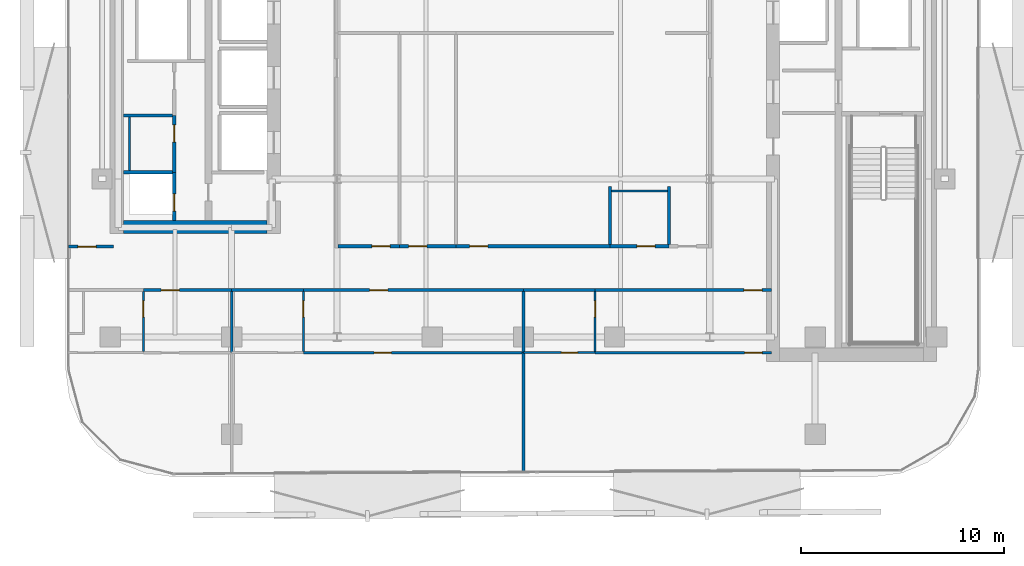
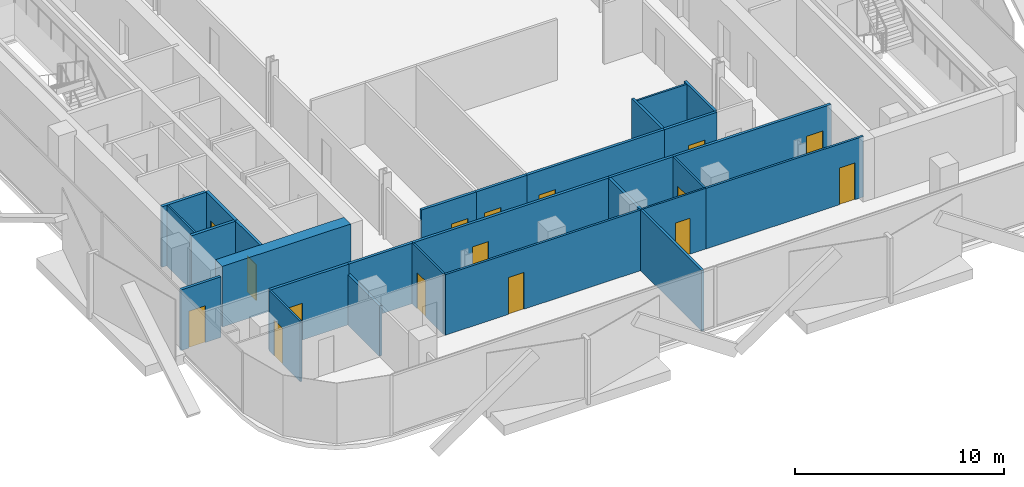
# One storey, part 3 of 17: 28 walls, 16 doors, 16 openings.
"""IFC4 building model written with IfcOpenShell, lengths in metres."""

from ifc_helpers import new_model, si_unit, direction, frame, frame_2d, origin, place, context, subcontext, project, spatial, rectangle, extrude, material, layer, layer_set, type_object, element, fill, save


model = new_model("IFC4")

# Units and contexts
model_context = context("Model", 3, precision=1e-05, world=origin(), true_north=direction((0.0, 1.0)))
body_context = subcontext(model_context, "Body", "Model", "MODEL_VIEW")
ifc_project = project(units=[si_unit("LENGTHUNIT", "METRE"), si_unit("AREAUNIT", "SQUARE_METRE"), si_unit("VOLUMEUNIT", "CUBIC_METRE"), si_unit("PLANEANGLEUNIT", "RADIAN"), si_unit("MASSUNIT", "GRAM", prefix="KILO")], contexts=[model_context])

# Site, building, storey
site_placement = place(None, origin())
site = spatial("IfcSite", under=ifc_project, at=site_placement, CompositionType="ELEMENT")
building_placement = place(site_placement, origin())
building = spatial("IfcBuilding", under=site, at=building_placement, Name="Khairoan Windgate Tower", CompositionType="ELEMENT")
storey_placement = place(building_placement, frame((0.0, 0.0, 172.60009765625)))
storey = spatial("IfcBuildingStorey", under=building, at=storey_placement, Name="L39", CompositionType="ELEMENT", Elevation=172.60009765625)

# Wall, opening, door
ifc_material_1 = material(Name="Moisture-Resistant Gypsum Partition", Category="gypsum")
ifc_layer_1 = layer(ifc_material_1, 0.10009765625, Name="Moisture-Resistant Gypsum Partition")
ifc_layer_set_1 = layer_set([ifc_layer_1], Name="Moisture-Resistant Gypsum Partition")
wall_type_1 = type_object("IfcWallType", Name="Bathroom Wet-Area Partition Wall", PredefinedType="PARTITIONING", material=ifc_layer_set_1)
wall_1_placement = place(storey_placement, frame((-18.763916015625, -19.320068359375, 0.0), z_axis=(0.0, 0.0, 1.0), x_axis=(0.0, 1.0, 0.0)))
wall_1 = element("IfcWall", 1, at=wall_1_placement, inside=storey, type_object=wall_type_1, Name="L39 Interior Partition 071", PredefinedType="PARTITIONING", context=body_context, shape_type="SweptSolid", body=[
    extrude(rectangle(XDim=2.965087890625, YDim=0.10009765625, at=frame_2d((1.482421875, 0.0))), origin(), (0.0, 0.0, 1.0), 3.539794921875),
])
opening_1_placement = place(wall_1_placement, frame((1.705078125, 0.0, 0.0)))
opening_1 = element("IfcOpeningElement", 2, at=opening_1_placement, cuts=wall_1, Name="Opening ID-BTH", PredefinedType="OPENING", context=body_context, shape_type="SweptSolid", body=[
    extrude(rectangle(XDim=0.800048828125, YDim=2.10009765625, at=frame_2d((0.39990234375, 1.050048828125))), frame((0.0, 0.06005859375, 0.0), z_axis=(0.0, -1.0, 0.0), x_axis=(1.0, 0.0, 0.0)), (0.0, 0.0, 1.0), 0.1201171875),
])
ifc_material_2 = material(Name="Teak Veneer Timber Leaf", Category="wood")
door_type_1 = type_object("IfcDoorType", Name="Internal Bathroom Door ID-BTH 800x2100", OperationType="NOTDEFINED", PredefinedType="DOOR", material=ifc_material_2)
door_1_placement = place(opening_1_placement, origin())
door_1 = element("IfcDoor", 3, at=door_1_placement, inside=storey, type_object=door_type_1, Name="L39 L39-52-L39-53 Door", OperationType="SINGLE_SWING_RIGHT", OverallHeight=2.10009765625, OverallWidth=0.800048828125, PredefinedType="DOOR", context=body_context, shape_type="SweptSolid", body=[
    extrude(rectangle(XDim=0.800048828125, YDim=2.10009765625, at=frame_2d((0.39990234375, 1.050048828125))), frame((0.0, 0.02490234375, 0.0), z_axis=(0.0, -1.0, 0.0), x_axis=(1.0, 0.0, 0.0)), (0.0, 0.0, 1.0), 0.050048828125),
])
fill(opening_1, door_1)

wall_2_placement = place(storey_placement, frame((-10.860107421875, -19.320068359375, 0.0), z_axis=(0.0, 0.0, 1.0), x_axis=(0.0, 1.0, 0.0)))
wall_2 = element("IfcWall", 4, at=wall_2_placement, inside=storey, type_object=wall_type_1, Name="L39 Interior Partition 076", PredefinedType="PARTITIONING", context=body_context, shape_type="SweptSolid", body=[
    extrude(rectangle(XDim=2.965087890625, YDim=0.10009765625, at=frame_2d((1.482421875, 0.0))), origin(), (0.0, 0.0, 1.0), 3.539794921875),
])
opening_2_placement = place(wall_2_placement, frame((1.705078125, 0.0, 0.0)))
opening_2 = element("IfcOpeningElement", 5, at=opening_2_placement, cuts=wall_2, Name="Opening ID-BTH", PredefinedType="OPENING", context=body_context, shape_type="SweptSolid", body=[
    extrude(rectangle(XDim=0.800048828125, YDim=2.10009765625, at=frame_2d((0.39990234375, 1.050048828125))), frame((0.0, 0.06005859375, 0.0), z_axis=(0.0, -1.0, 0.0), x_axis=(1.0, 0.0, 0.0)), (0.0, 0.0, 1.0), 0.1201171875),
])
door_2_placement = place(opening_2_placement, origin())
door_2 = element("IfcDoor", 6, at=door_2_placement, inside=storey, type_object=door_type_1, Name="L39 L39-55-L39-56 Door", OperationType="SINGLE_SWING_LEFT", OverallHeight=2.10009765625, OverallWidth=0.800048828125, PredefinedType="DOOR", context=body_context, shape_type="SweptSolid", body=[
    extrude(rectangle(XDim=0.800048828125, YDim=2.10009765625, at=frame_2d((0.39990234375, 1.050048828125))), frame((0.0, 0.02490234375, 0.0), z_axis=(0.0, -1.0, 0.0), x_axis=(1.0, 0.0, 0.0)), (0.0, 0.0, 1.0), 0.050048828125),
])
fill(opening_2, door_2)

wall_3_placement = place(storey_placement, frame((3.5400390625, -19.320068359375, 0.0), z_axis=(0.0, 0.0, 1.0), x_axis=(0.0, 1.0, 0.0)))
wall_3 = element("IfcWall", 7, at=wall_3_placement, inside=storey, type_object=wall_type_1, Name="L39 Interior Partition 081", PredefinedType="PARTITIONING", context=body_context, shape_type="SweptSolid", body=[
    extrude(rectangle(XDim=2.965087890625, YDim=0.10009765625, at=frame_2d((1.482421875, 0.0))), origin(), (0.0, 0.0, 1.0), 3.539794921875),
])
opening_3_placement = place(wall_3_placement, frame((1.705078125, 0.0, 0.0)))
opening_3 = element("IfcOpeningElement", 8, at=opening_3_placement, cuts=wall_3, Name="Opening ID-BTH", PredefinedType="OPENING", context=body_context, shape_type="SweptSolid", body=[
    extrude(rectangle(XDim=0.800048828125, YDim=2.10009765625, at=frame_2d((0.39990234375, 1.050048828125))), frame((0.0, 0.06005859375, 0.0), z_axis=(0.0, -1.0, 0.0), x_axis=(1.0, 0.0, 0.0)), (0.0, 0.0, 1.0), 0.1201171875),
])
door_3_placement = place(opening_3_placement, origin())
door_3 = element("IfcDoor", 9, at=door_3_placement, inside=storey, type_object=door_type_1, Name="L39 L39-58-L39-59 Door", OperationType="SINGLE_SWING_RIGHT", OverallHeight=2.10009765625, OverallWidth=0.800048828125, PredefinedType="DOOR", context=body_context, shape_type="SweptSolid", body=[
    extrude(rectangle(XDim=0.800048828125, YDim=2.10009765625, at=frame_2d((0.39990234375, 1.050048828125))), frame((0.0, 0.02490234375, 0.0), z_axis=(0.0, -1.0, 0.0), x_axis=(1.0, 0.0, 0.0)), (0.0, 0.0, 1.0), 0.050048828125),
])
fill(opening_3, door_3)

wall_4_placement = place(storey_placement, frame((0.0, -19.3701171875, 0.0), z_axis=(0.0, 0.0, 1.0), x_axis=(1.0, 0.0, 0.0)))
wall_4 = element("IfcWall", 10, at=wall_4_placement, inside=storey, type_object=wall_type_1, Name="L39 Interior Partition 082", PredefinedType="PARTITIONING", context=body_context, shape_type="SweptSolid", body=[
    extrude(rectangle(XDim=3.5400390625, YDim=0.10009765625, at=frame_2d((1.77001953125, 0.0))), origin(), (0.0, 0.0, 1.0), 3.539794921875),
])
opening_4_placement = place(wall_4_placement, frame((1.87548828125, 0.0, 0.0)))
opening_4 = element("IfcOpeningElement", 11, at=opening_4_placement, cuts=wall_4, Name="Opening ID-BTH", PredefinedType="OPENING", context=body_context, shape_type="SweptSolid", body=[
    extrude(rectangle(XDim=0.800048828125, YDim=2.10009765625, at=frame_2d((0.39990234375, 1.050048828125))), frame((0.0, 0.06005859375, 0.0), z_axis=(0.0, -1.0, 0.0), x_axis=(1.0, 0.0, 0.0)), (0.0, 0.0, 1.0), 0.1201171875),
])
door_4_placement = place(opening_4_placement, origin())
door_4 = element("IfcDoor", 12, at=door_4_placement, inside=storey, type_object=door_type_1, Name="L39 L39-58-L39-60 Door", OperationType="SINGLE_SWING_LEFT", OverallHeight=2.10009765625, OverallWidth=0.800048828125, PredefinedType="DOOR", context=body_context, shape_type="SweptSolid", body=[
    extrude(rectangle(XDim=0.800048828125, YDim=2.10009765625, at=frame_2d((0.39990234375, 1.050048828125))), frame((0.0, 0.02490234375, 0.0), z_axis=(0.0, -1.0, 0.0), x_axis=(1.0, 0.0, 0.0)), (0.0, 0.0, 1.0), 0.050048828125),
])
fill(opening_4, door_4)

# Walls
wall_5_placement = place(storey_placement, frame((-19.449951171875, -10.389892578125, 0.0), z_axis=(0.0, 0.0, 1.0), x_axis=(0.0, 1.0, 0.0)))
element("IfcWall", 13, at=wall_5_placement, inside=storey, type_object=wall_type_1, Name="L39 Wet Room Side Wall 085", PredefinedType="PARTITIONING", context=body_context, shape_type="SweptSolid", body=[
    extrude(rectangle(XDim=2.639892578125, YDim=0.10009765625, at=frame_2d((1.31982421875, 0.0))), origin(), (0.0, 0.0, 1.0), 3.539794921875),
])
wall_6_placement = place(storey_placement, frame((4.35009765625, -11.39990234375, 0.0), z_axis=(0.0, 0.0, 1.0), x_axis=(1.0, 0.0, 0.0)))
element("IfcWall", 14, at=wall_6_placement, inside=storey, type_object=wall_type_1, Name="L39 Wet Room Side Wall 086", PredefinedType="PARTITIONING", context=body_context, shape_type="SweptSolid", body=[
    extrude(rectangle(XDim=2.760009765625, YDim=0.10009765625, at=frame_2d((1.3798828125, 0.0))), origin(), (0.0, 0.0, 1.0), 3.539794921875),
])
ifc_material_3 = material(Name="Acoustic Fire-Rated Gypsum Partition", Category="gypsum")
ifc_layer_2 = layer(ifc_material_3, 0.139892578125, Name="Acoustic Fire-Rated Gypsum Partition")
ifc_layer_set_2 = layer_set([ifc_layer_2], Name="Acoustic Fire-Rated Gypsum Partition")
wall_type_2 = type_object("IfcWallType", Name="Inter-Tenancy Compartment Wall", PredefinedType="PARTITIONING", material=ifc_layer_set_2)
for number, where, z_axis, x_axis, name in (
    (15, (4.280029296875, -14.044921875, 0.0), (0.0, 0.0, 1.0), (0.0, 1.0, 0.0), "L39 Interior Partition 044"),
    (16, (7.179931640625, -14.044921875, 0.0), (0.0, 0.0, 1.0), (0.0, 1.0, 0.0), "L39 Interior Partition 046"),
):
    element("IfcWall", number, at=place(storey_placement, frame(where, z_axis=z_axis, x_axis=x_axis)), inside=storey, type_object=wall_type_2, Name=name, PredefinedType="PARTITIONING", context=body_context, shape_type="SweptSolid", body=[
        extrude(rectangle(XDim=2.885009765625, YDim=0.139892578125, at=frame_2d((1.4423828125, 0.0))), origin(), (0.0, 0.0, 1.0), 3.539794921875),
    ])
wall_7_placement = place(storey_placement, frame((-14.39990234375, -19.3701171875, 0.0), z_axis=(0.0, 0.0, 1.0), x_axis=(0.0, 1.0, 0.0)))
element("IfcWall", 17, at=wall_7_placement, inside=storey, type_object=wall_type_2, Name="L39 Interior Partition 074", PredefinedType="PARTITIONING", context=body_context, shape_type="SweptSolid", body=[
    extrude(rectangle(XDim=3.01513671875, YDim=0.139892578125, at=frame_2d((1.507568359375, 0.0))), origin(), (0.0, 0.0, 1.0), 2.951904296875),
])
wall_8_placement = place(storey_placement, frame((0.0, -19.3701171875, 0.0), z_axis=(0.0, 0.0, 1.0), x_axis=(0.0, 1.0, 0.0)))
element("IfcWall", 18, at=wall_8_placement, inside=storey, type_object=wall_type_2, Name="L39 Interior Partition 079", PredefinedType="PARTITIONING", context=body_context, shape_type="SweptSolid", body=[
    extrude(rectangle(XDim=3.01513671875, YDim=0.139892578125, at=frame_2d((1.507568359375, 0.0))), origin(), (0.0, 0.0, 1.0), 3.539794921875),
])
wall_9_placement = place(storey_placement, frame((0.0, -25.269775390625, 0.0), z_axis=(0.0, 0.0, 1.0), x_axis=(0.0, 1.0, 0.0)))
element("IfcWall", 19, at=wall_9_placement, inside=storey, type_object=wall_type_2, Name="L39 Interior Partition 080", PredefinedType="PARTITIONING", context=body_context, shape_type="SweptSolid", body=[
    extrude(rectangle(XDim=5.899658203125, YDim=0.139892578125, at=frame_2d((2.94970703125, 0.0))), origin(), (0.0, 0.0, 1.0), 3.539794921875),
])

# Wall, opening, door
ifc_material_4 = material(Name="Gypsum Stud Partition", Category="gypsum")
ifc_layer_3 = layer(ifc_material_4, 0.1201171875, Name="Gypsum Stud Partition")
ifc_layer_set_3 = layer_set([ifc_layer_3], Name="Gypsum Stud Partition")
wall_type_3 = type_object("IfcWallType", Name="Internal Room Partition Wall", PredefinedType="PARTITIONING", material=ifc_layer_set_3)
wall_10_placement = place(storey_placement, frame((-10.860107421875, -19.3701171875, 0.0), z_axis=(0.0, 0.0, 1.0), x_axis=(1.0, 0.0, 0.0)))
wall_10 = element("IfcWall", 20, at=wall_10_placement, inside=storey, type_object=wall_type_3, Name="L39 Interior Partition 078", PredefinedType="PARTITIONING", context=body_context, shape_type="SweptSolid", body=[
    extrude(rectangle(XDim=10.860107421875, YDim=0.1201171875, at=frame_2d((5.43017578125, 0.0))), origin(), (0.0, 0.0, 1.0), 3.539794921875),
])
opening_5_placement = place(wall_10_placement, frame((3.48681640625, 0.0, 0.0)))
opening_5 = element("IfcOpeningElement", 21, at=opening_5_placement, cuts=wall_10, Name="Opening ID-RM", PredefinedType="OPENING", context=body_context, shape_type="SweptSolid", body=[
    extrude(rectangle(XDim=0.860107421875, YDim=2.14990234375, at=frame_2d((0.43017578125, 1.074951171875))), frame((0.0, 0.070068359375, 0.0), z_axis=(0.0, -1.0, 0.0), x_axis=(1.0, 0.0, 0.0)), (0.0, 0.0, 1.0), 0.14013671875),
])
ifc_material_5 = material(Name="Teak Veneer Timber Leaf", Category="wood")
door_type_2 = type_object("IfcDoorType", Name="Internal Bedroom and Office Door ID-RM 860x2150", OperationType="NOTDEFINED", PredefinedType="DOOR", material=ifc_material_5)
door_5_placement = place(opening_5_placement, origin())
door_5 = element("IfcDoor", 22, at=door_5_placement, inside=storey, type_object=door_type_2, Name="L39 L39-56-L39-57 Door", OperationType="SINGLE_SWING_LEFT", OverallHeight=2.14990234375, OverallWidth=0.860107421875, PredefinedType="DOOR", context=body_context, shape_type="SweptSolid", body=[
    extrude(rectangle(XDim=0.860107421875, YDim=2.14990234375, at=frame_2d((0.43017578125, 1.074951171875))), frame((0.0, 0.02490234375, 0.0), z_axis=(0.0, -1.0, 0.0), x_axis=(1.0, 0.0, 0.0)), (0.0, 0.0, 1.0), 0.050048828125),
])
fill(opening_5, door_5)

wall_11_placement = place(storey_placement, frame((3.5400390625, -19.3701171875, 0.0), z_axis=(0.0, 0.0, 1.0), x_axis=(1.0, 0.0, 0.0)))
wall_11 = element("IfcWall", 23, at=wall_11_placement, inside=storey, type_object=wall_type_3, Name="L39 Interior Partition 083", PredefinedType="PARTITIONING", context=body_context, shape_type="SweptSolid", body=[
    extrude(rectangle(XDim=8.699951171875, YDim=0.1201171875, at=frame_2d((4.35009765625, 0.0))), origin(), (0.0, 0.0, 1.0), 3.539794921875),
])
opening_6_placement = place(wall_11_placement, frame((7.3798828125, 0.0, 0.0)))
opening_6 = element("IfcOpeningElement", 24, at=opening_6_placement, cuts=wall_11, Name="Opening ID-RM", PredefinedType="OPENING", context=body_context, shape_type="SweptSolid", body=[
    extrude(rectangle(XDim=0.860107421875, YDim=2.14990234375, at=frame_2d((0.43017578125, 1.074951171875))), frame((0.0, 0.070068359375, 0.0), z_axis=(0.0, -1.0, 0.0), x_axis=(1.0, 0.0, 0.0)), (0.0, 0.0, 1.0), 0.14013671875),
])
door_6_placement = place(opening_6_placement, origin())
door_6 = element("IfcDoor", 25, at=door_6_placement, inside=storey, type_object=door_type_2, Name="L39 L39-59-L39-60 Door", OperationType="SINGLE_SWING_RIGHT", OverallHeight=2.14990234375, OverallWidth=0.860107421875, PredefinedType="DOOR", context=body_context, shape_type="SweptSolid", body=[
    extrude(rectangle(XDim=0.860107421875, YDim=2.14990234375, at=frame_2d((0.43017578125, 1.074951171875))), frame((0.0, 0.02490234375, 0.0), z_axis=(0.0, -1.0, 0.0), x_axis=(1.0, 0.0, 0.0)), (0.0, 0.0, 1.0), 0.050048828125),
])
fill(opening_6, door_6)

ifc_material_6 = material(Name="Concrete C40/50", Category="concrete")
ifc_layer_4 = layer(ifc_material_6, 0.159912109375, Name="Concrete C40/50")
ifc_layer_set_4 = layer_set([ifc_layer_4], Name="Concrete C40/50")
wall_type_4 = type_object("IfcWallType", Name="Plant and Refuge Compartment Wall", PredefinedType="PARTITIONING", material=ifc_layer_set_4)
wall_12_placement = place(storey_placement, frame((-17.22998046875, -12.85009765625, 0.0), z_axis=(0.0, 0.0, 1.0), x_axis=(0.0, 1.0, 0.0)))
wall_12 = element("IfcWall", 26, at=wall_12_placement, inside=storey, type_object=wall_type_4, Name="L39 Interior Partition 001", PredefinedType="PARTITIONING", context=body_context, shape_type="SweptSolid", body=[
    extrude(rectangle(XDim=2.380126953125, YDim=0.159912109375, at=frame_2d((1.18994140625, 0.0))), origin(), (0.0, 0.0, 1.0), 3.539794921875),
])
opening_7_placement = place(wall_12_placement, frame((0.4599609375, 0.0, 0.0)))
opening_7 = element("IfcOpeningElement", 27, at=opening_7_placement, cuts=wall_12, Name="Opening FD-SRV", PredefinedType="OPENING", context=body_context, shape_type="SweptSolid", body=[
    extrude(rectangle(XDim=0.85009765625, YDim=2.10009765625, at=frame_2d((0.425048828125, 1.050048828125))), frame((0.0, 0.08984375, 0.0), z_axis=(0.0, -1.0, 0.0), x_axis=(1.0, 0.0, 0.0)), (0.0, 0.0, 1.0), 0.179931640625),
])
ifc_material_7 = material(Name="Steel S355", Category="steel")
door_type_3 = type_object("IfcDoorType", Name="Core Service and Riser Fire Door FD-SRV 850x2100", OperationType="NOTDEFINED", PredefinedType="DOOR", material=ifc_material_7)
door_7_placement = place(opening_7_placement, origin())
door_7 = element("IfcDoor", 28, at=door_7_placement, inside=storey, type_object=door_type_3, Name="L39 L39-04-L39-05 Door", OperationType="SINGLE_SWING_RIGHT", OverallHeight=2.10009765625, OverallWidth=0.85009765625, PredefinedType="DOOR", context=body_context, shape_type="SweptSolid", body=[
    extrude(rectangle(XDim=0.85009765625, YDim=2.10009765625, at=frame_2d((0.425048828125, 1.050048828125))), frame((0.0, 0.02490234375, 0.0), z_axis=(0.0, -1.0, 0.0), x_axis=(1.0, 0.0, 0.0)), (0.0, 0.0, 1.0), 0.050048828125),
])
fill(opening_7, door_7)

wall_13_placement = place(storey_placement, frame((-17.22998046875, -10.469970703125, 0.0), z_axis=(0.0, 0.0, 1.0), x_axis=(0.0, 1.0, 0.0)))
wall_13 = element("IfcWall", 29, at=wall_13_placement, inside=storey, type_object=wall_type_4, Name="L39 Interior Partition 002", PredefinedType="PARTITIONING", context=body_context, shape_type="SweptSolid", body=[
    extrude(rectangle(XDim=2.800048828125, YDim=0.159912109375, at=frame_2d((1.39990234375, 0.0))), origin(), (0.0, 0.0, 1.0), 3.539794921875),
])
opening_8_placement = place(wall_13_placement, frame((1.489990234375, 0.0, 0.0)))
opening_8 = element("IfcOpeningElement", 30, at=opening_8_placement, cuts=wall_13, Name="Opening FD-SRV", PredefinedType="OPENING", context=body_context, shape_type="SweptSolid", body=[
    extrude(rectangle(XDim=0.85009765625, YDim=2.10009765625, at=frame_2d((0.425048828125, 1.050048828125))), frame((0.0, 0.08984375, 0.0), z_axis=(0.0, -1.0, 0.0), x_axis=(1.0, 0.0, 0.0)), (0.0, 0.0, 1.0), 0.179931640625),
])
door_8_placement = place(opening_8_placement, origin())
door_8 = element("IfcDoor", 31, at=door_8_placement, inside=storey, type_object=door_type_3, Name="L39 L39-04-L39-06 Door", OperationType="SINGLE_SWING_LEFT", OverallHeight=2.10009765625, OverallWidth=0.85009765625, PredefinedType="DOOR", context=body_context, shape_type="SweptSolid", body=[
    extrude(rectangle(XDim=0.85009765625, YDim=2.10009765625, at=frame_2d((0.425048828125, 1.050048828125))), frame((0.0, 0.02490234375, 0.0), z_axis=(0.0, -1.0, 0.0), x_axis=(1.0, 0.0, 0.0)), (0.0, 0.0, 1.0), 0.050048828125),
])
fill(opening_8, door_8)

# Walls
for number, where, z_axis, x_axis, name in (
    (32, (-19.75, -10.469970703125, 0.0), (0.0, 0.0, 1.0), (1.0, 0.0, 0.0), "L39 Interior Partition 004"),
    (33, (-19.75, -7.669921875, 0.0), (0.0, 0.0, 1.0), (1.0, 0.0, 0.0), "L39 Interior Partition 005"),
):
    element("IfcWall", number, at=place(storey_placement, frame(where, z_axis=z_axis, x_axis=x_axis)), inside=storey, type_object=wall_type_4, Name=name, PredefinedType="PARTITIONING", context=body_context, shape_type="SweptSolid", body=[
        extrude(rectangle(XDim=2.43994140625, YDim=0.159912109375, at=frame_2d((1.219970703125, 0.0))), origin(), (0.0, 0.0, 1.0), 3.539794921875),
    ])

# Wall, opening, door
ifc_material_8 = material(Name="Acoustic Fire-Rated Gypsum Partition", Category="gypsum")
ifc_layer_5 = layer(ifc_material_8, 0.14990234375, Name="Acoustic Fire-Rated Gypsum Partition")
ifc_layer_set_5 = layer_set([ifc_layer_5], Name="Acoustic Fire-Rated Gypsum Partition")
wall_type_5 = type_object("IfcWallType", Name="Rated Corridor Partition Wall", PredefinedType="PARTITIONING", material=ifc_layer_set_5)
wall_14_placement = place(storey_placement, frame((-9.14501953125, -14.1201171875, 0.0), z_axis=(0.0, 0.0, 1.0), x_axis=(1.0, 0.0, 0.0)))
wall_14 = element("IfcWall", 34, at=wall_14_placement, inside=storey, type_object=wall_type_5, Name="L39 Interior Partition 028", PredefinedType="PARTITIONING", context=body_context, shape_type="SweptSolid", body=[
    extrude(rectangle(XDim=3.02490234375, YDim=0.14990234375, at=frame_2d((1.512451171875, 0.0))), origin(), (0.0, 0.0, 1.0), 3.539794921875),
])
opening_9_placement = place(wall_14_placement, frame((1.6650390625, 0.0, 0.0)))
opening_9 = element("IfcOpeningElement", 35, at=opening_9_placement, cuts=wall_14, Name="Opening FD-ENT", PredefinedType="OPENING", context=body_context, shape_type="SweptSolid", body=[
    extrude(rectangle(XDim=0.89990234375, YDim=2.14990234375, at=frame_2d((0.449951171875, 1.074951171875))), frame((0.0, 0.0849609375, 0.0), z_axis=(0.0, -1.0, 0.0), x_axis=(1.0, 0.0, 0.0)), (0.0, 0.0, 1.0), 0.169921875),
])
ifc_material_9 = material(Name="Timber Fire-Rated Core", Category="wood")
door_type_4 = type_object("IfcDoorType", Name="Unit and Office Fire Entrance Door FD-ENT 900x2150", OperationType="NOTDEFINED", PredefinedType="DOOR", material=ifc_material_9)
door_9_placement = place(opening_9_placement, origin())
door_9 = element("IfcDoor", 36, at=door_9_placement, inside=storey, type_object=door_type_4, Name="L39 L39-30-L39-31 Door", OperationType="SINGLE_SWING_RIGHT", OverallHeight=2.14990234375, OverallWidth=0.89990234375, PredefinedType="DOOR", context=body_context, shape_type="SweptSolid", body=[
    extrude(rectangle(XDim=0.89990234375, YDim=2.14990234375, at=frame_2d((0.449951171875, 1.074951171875))), frame((0.0, 0.02490234375, 0.0), z_axis=(0.0, -1.0, 0.0), x_axis=(1.0, 0.0, 0.0)), (0.0, 0.0, 1.0), 0.050048828125),
])
fill(opening_9, door_9)

wall_15_placement = place(storey_placement, frame((-6.1201171875, -14.1201171875, 0.0), z_axis=(0.0, 0.0, 1.0), x_axis=(1.0, 0.0, 0.0)))
wall_15 = element("IfcWall", 37, at=wall_15_placement, inside=storey, type_object=wall_type_5, Name="L39 Interior Partition 029", PredefinedType="PARTITIONING", context=body_context, shape_type="SweptSolid", body=[
    extrude(rectangle(XDim=2.800048828125, YDim=0.14990234375, at=frame_2d((1.39990234375, 0.0))), origin(), (0.0, 0.0, 1.0), 3.539794921875),
])
opening_10_placement = place(wall_15_placement, frame((0.4599609375, 0.0, 0.0)))
opening_10 = element("IfcOpeningElement", 38, at=opening_10_placement, cuts=wall_15, Name="Opening FD-ENT", PredefinedType="OPENING", context=body_context, shape_type="SweptSolid", body=[
    extrude(rectangle(XDim=0.89990234375, YDim=2.14990234375, at=frame_2d((0.449951171875, 1.074951171875))), frame((0.0, 0.0849609375, 0.0), z_axis=(0.0, -1.0, 0.0), x_axis=(1.0, 0.0, 0.0)), (0.0, 0.0, 1.0), 0.169921875),
])
door_10_placement = place(opening_10_placement, origin())
door_10 = element("IfcDoor", 39, at=door_10_placement, inside=storey, type_object=door_type_4, Name="L39 L39-30-L39-32 Door", OperationType="SINGLE_SWING_LEFT", OverallHeight=2.14990234375, OverallWidth=0.89990234375, PredefinedType="DOOR", context=body_context, shape_type="SweptSolid", body=[
    extrude(rectangle(XDim=0.89990234375, YDim=2.14990234375, at=frame_2d((0.449951171875, 1.074951171875))), frame((0.0, 0.02490234375, 0.0), z_axis=(0.0, -1.0, 0.0), x_axis=(1.0, 0.0, 0.0)), (0.0, 0.0, 1.0), 0.050048828125),
])
fill(opening_10, door_10)

wall_16_placement = place(storey_placement, frame((-3.320068359375, -14.1201171875, 0.0), z_axis=(0.0, 0.0, 1.0), x_axis=(1.0, 0.0, 0.0)))
wall_16 = element("IfcWall", 40, at=wall_16_placement, inside=storey, type_object=wall_type_5, Name="L39 Interior Partition 030", PredefinedType="PARTITIONING", context=body_context, shape_type="SweptSolid", body=[
    extrude(rectangle(XDim=7.60009765625, YDim=0.14990234375, at=frame_2d((3.800048828125, 0.0))), origin(), (0.0, 0.0, 1.0), 3.539794921875),
])
opening_11_placement = place(wall_16_placement, frame((0.66650390625, 0.0, 0.0)))
opening_11 = element("IfcOpeningElement", 41, at=opening_11_placement, cuts=wall_16, Name="Opening FD-ENT", PredefinedType="OPENING", context=body_context, shape_type="SweptSolid", body=[
    extrude(rectangle(XDim=0.89990234375, YDim=2.14990234375, at=frame_2d((0.449951171875, 1.074951171875))), frame((0.0, 0.0849609375, 0.0), z_axis=(0.0, -1.0, 0.0), x_axis=(1.0, 0.0, 0.0)), (0.0, 0.0, 1.0), 0.169921875),
])
door_11_placement = place(opening_11_placement, origin())
door_11 = element("IfcDoor", 42, at=door_11_placement, inside=storey, type_object=door_type_4, Name="L39 L39-30-L39-33 Door", OperationType="SINGLE_SWING_RIGHT", OverallHeight=2.14990234375, OverallWidth=0.89990234375, PredefinedType="DOOR", context=body_context, shape_type="SweptSolid", body=[
    extrude(rectangle(XDim=0.89990234375, YDim=2.14990234375, at=frame_2d((0.449951171875, 1.074951171875))), frame((0.0, 0.02490234375, 0.0), z_axis=(0.0, -1.0, 0.0), x_axis=(1.0, 0.0, 0.0)), (0.0, 0.0, 1.0), 0.050048828125),
])
fill(opening_11, door_11)

wall_17_placement = place(storey_placement, frame((4.280029296875, -14.1201171875, 0.0), z_axis=(0.0, 0.0, 1.0), x_axis=(1.0, 0.0, 0.0)))
wall_17 = element("IfcWall", 43, at=wall_17_placement, inside=storey, type_object=wall_type_5, Name="L39 Interior Partition 031", PredefinedType="PARTITIONING", context=body_context, shape_type="SweptSolid", body=[
    extrude(rectangle(XDim=2.89990234375, YDim=0.14990234375, at=frame_2d((1.449951171875, 0.0))), origin(), (0.0, 0.0, 1.0), 3.539794921875),
])
opening_12_placement = place(wall_17_placement, frame((1.323974609375, 0.0, 0.0)))
opening_12 = element("IfcOpeningElement", 44, at=opening_12_placement, cuts=wall_17, Name="Opening FD-ENT", PredefinedType="OPENING", context=body_context, shape_type="SweptSolid", body=[
    extrude(rectangle(XDim=0.89990234375, YDim=2.14990234375, at=frame_2d((0.449951171875, 1.074951171875))), frame((0.0, 0.0849609375, 0.0), z_axis=(0.0, -1.0, 0.0), x_axis=(1.0, 0.0, 0.0)), (0.0, 0.0, 1.0), 0.169921875),
])
door_12_placement = place(opening_12_placement, origin())
door_12 = element("IfcDoor", 45, at=door_12_placement, inside=storey, type_object=door_type_4, Name="L39 L39-30-L39-34 Door", OperationType="SINGLE_SWING_LEFT", OverallHeight=2.14990234375, OverallWidth=0.89990234375, PredefinedType="DOOR", context=body_context, shape_type="SweptSolid", body=[
    extrude(rectangle(XDim=0.89990234375, YDim=2.14990234375, at=frame_2d((0.449951171875, 1.074951171875))), frame((0.0, 0.02490234375, 0.0), z_axis=(0.0, -1.0, 0.0), x_axis=(1.0, 0.0, 0.0)), (0.0, 0.0, 1.0), 0.050048828125),
])
fill(opening_12, door_12)

wall_18_placement = place(storey_placement, frame((-18.763916015625, -16.280029296875, 0.0), z_axis=(0.0, 0.0, 1.0), x_axis=(1.0, 0.0, 0.0)))
wall_18 = element("IfcWall", 46, at=wall_18_placement, inside=storey, type_object=wall_type_5, Name="L39 Interior Partition 034", PredefinedType="PARTITIONING", context=body_context, shape_type="SweptSolid", body=[
    extrude(rectangle(XDim=4.364013671875, YDim=0.14990234375, at=frame_2d((2.18212890625, 0.0))), origin(), (0.0, 0.0, 1.0), 3.539794921875),
])
opening_13_placement = place(wall_18_placement, frame((0.884033203125, 0.0, 0.0)))
opening_13 = element("IfcOpeningElement", 47, at=opening_13_placement, cuts=wall_18, Name="Opening FD-ENT", PredefinedType="OPENING", context=body_context, shape_type="SweptSolid", body=[
    extrude(rectangle(XDim=0.89990234375, YDim=2.14990234375, at=frame_2d((0.449951171875, 1.074951171875))), frame((0.0, 0.0849609375, 0.0), z_axis=(0.0, -1.0, 0.0), x_axis=(1.0, 0.0, 0.0)), (0.0, 0.0, 1.0), 0.169921875),
])
door_13_placement = place(opening_13_placement, origin())
door_13 = element("IfcDoor", 48, at=door_13_placement, inside=storey, type_object=door_type_4, Name="L39 L39-30-L39-53 Door", OperationType="SINGLE_SWING_LEFT", OverallHeight=2.14990234375, OverallWidth=0.89990234375, PredefinedType="DOOR", context=body_context, shape_type="SweptSolid", body=[
    extrude(rectangle(XDim=0.89990234375, YDim=2.14990234375, at=frame_2d((0.449951171875, 1.074951171875))), frame((0.0, 0.02490234375, 0.0), z_axis=(0.0, -1.0, 0.0), x_axis=(1.0, 0.0, 0.0)), (0.0, 0.0, 1.0), 0.050048828125),
])
fill(opening_13, door_13)

# Wall
wall_19_placement = place(storey_placement, frame((-14.39990234375, -16.280029296875, 0.0), z_axis=(0.0, 0.0, 1.0), x_axis=(1.0, 0.0, 0.0)))
element("IfcWall", 49, at=wall_19_placement, inside=storey, type_object=wall_type_5, Name="L39 Interior Partition 035", PredefinedType="PARTITIONING", context=body_context, shape_type="SweptSolid", body=[
    extrude(rectangle(XDim=3.539794921875, YDim=0.14990234375, at=frame_2d((1.77001953125, 0.0))), origin(), (0.0, 0.0, 1.0), 3.539794921875),
])

# Wall, opening, door
wall_20_placement = place(storey_placement, frame((-10.860107421875, -16.280029296875, 0.0), z_axis=(0.0, 0.0, 1.0), x_axis=(1.0, 0.0, 0.0)))
wall_20 = element("IfcWall", 50, at=wall_20_placement, inside=storey, type_object=wall_type_5, Name="L39 Interior Partition 036", PredefinedType="PARTITIONING", context=body_context, shape_type="SweptSolid", body=[
    extrude(rectangle(XDim=10.860107421875, YDim=0.14990234375, at=frame_2d((5.43017578125, 0.0))), origin(), (0.0, 0.0, 1.0), 3.539794921875),
])
opening_14_placement = place(wall_20_placement, frame((3.2724609375, 0.0, 0.0)))
opening_14 = element("IfcOpeningElement", 51, at=opening_14_placement, cuts=wall_20, Name="Opening FD-ENT", PredefinedType="OPENING", context=body_context, shape_type="SweptSolid", body=[
    extrude(rectangle(XDim=0.89990234375, YDim=2.14990234375, at=frame_2d((0.449951171875, 1.074951171875))), frame((0.0, 0.0849609375, 0.0), z_axis=(0.0, -1.0, 0.0), x_axis=(1.0, 0.0, 0.0)), (0.0, 0.0, 1.0), 0.169921875),
])
door_14_placement = place(opening_14_placement, origin())
door_14 = element("IfcDoor", 52, at=door_14_placement, inside=storey, type_object=door_type_4, Name="L39 L39-30-L39-56 Door", OperationType="SINGLE_SWING_RIGHT", OverallHeight=2.14990234375, OverallWidth=0.89990234375, PredefinedType="DOOR", context=body_context, shape_type="SweptSolid", body=[
    extrude(rectangle(XDim=0.89990234375, YDim=2.14990234375, at=frame_2d((0.449951171875, 1.074951171875))), frame((0.0, 0.02490234375, 0.0), z_axis=(0.0, -1.0, 0.0), x_axis=(1.0, 0.0, 0.0)), (0.0, 0.0, 1.0), 0.050048828125),
])
fill(opening_14, door_14)

# Wall
wall_21_placement = place(storey_placement, frame((0.0, -16.280029296875, 0.0), z_axis=(0.0, 0.0, 1.0), x_axis=(1.0, 0.0, 0.0)))
element("IfcWall", 53, at=wall_21_placement, inside=storey, type_object=wall_type_5, Name="L39 Interior Partition 037", PredefinedType="PARTITIONING", context=body_context, shape_type="SweptSolid", body=[
    extrude(rectangle(XDim=3.5400390625, YDim=0.14990234375, at=frame_2d((1.77001953125, 0.0))), origin(), (0.0, 0.0, 1.0), 3.539794921875),
])

# Wall, opening, door
wall_22_placement = place(storey_placement, frame((3.5400390625, -16.280029296875, 0.0), z_axis=(0.0, 0.0, 1.0), x_axis=(1.0, 0.0, 0.0)))
wall_22 = element("IfcWall", 54, at=wall_22_placement, inside=storey, type_object=wall_type_5, Name="L39 Interior Partition 038", PredefinedType="PARTITIONING", context=body_context, shape_type="SweptSolid", body=[
    extrude(rectangle(XDim=8.699951171875, YDim=0.14990234375, at=frame_2d((4.35009765625, 0.0))), origin(), (0.0, 0.0, 1.0), 3.539794921875),
])
opening_15_placement = place(wall_22_placement, frame((7.340087890625, 0.0, 0.0)))
opening_15 = element("IfcOpeningElement", 55, at=opening_15_placement, cuts=wall_22, Name="Opening FD-ENT", PredefinedType="OPENING", context=body_context, shape_type="SweptSolid", body=[
    extrude(rectangle(XDim=0.89990234375, YDim=2.14990234375, at=frame_2d((0.449951171875, 1.074951171875))), frame((0.0, 0.0849609375, 0.0), z_axis=(0.0, -1.0, 0.0), x_axis=(1.0, 0.0, 0.0)), (0.0, 0.0, 1.0), 0.169921875),
])
door_15_placement = place(opening_15_placement, origin())
door_15 = element("IfcDoor", 56, at=door_15_placement, inside=storey, type_object=door_type_4, Name="L39 L39-30-L39-59 Door", OperationType="SINGLE_SWING_LEFT", OverallHeight=2.14990234375, OverallWidth=0.89990234375, PredefinedType="DOOR", context=body_context, shape_type="SweptSolid", body=[
    extrude(rectangle(XDim=0.89990234375, YDim=2.14990234375, at=frame_2d((0.449951171875, 1.074951171875))), frame((0.0, 0.02490234375, 0.0), z_axis=(0.0, -1.0, 0.0), x_axis=(1.0, 0.0, 0.0)), (0.0, 0.0, 1.0), 0.050048828125),
])
fill(opening_15, door_15)

wall_23_placement = place(storey_placement, frame((-22.455078125, -14.139892578125, 0.0), z_axis=(0.0, 0.0, 1.0), x_axis=(1.0, 0.0, 0.0)))
wall_23 = element("IfcWall", 57, at=wall_23_placement, inside=storey, type_object=wall_type_5, Name="L39 Interior Partition 039", PredefinedType="PARTITIONING", context=body_context, shape_type="SweptSolid", body=[
    extrude(rectangle(XDim=2.215087890625, YDim=0.14990234375, at=frame_2d((1.107421875, 0.0))), origin(), (0.0, 0.0, 1.0), 3.539794921875),
])
opening_16_placement = place(wall_23_placement, frame((0.4599609375, 0.0, 0.0)))
opening_16 = element("IfcOpeningElement", 58, at=opening_16_placement, cuts=wall_23, Name="Opening FD-ENT", PredefinedType="OPENING", context=body_context, shape_type="SweptSolid", body=[
    extrude(rectangle(XDim=0.89990234375, YDim=2.14990234375, at=frame_2d((0.449951171875, 1.074951171875))), frame((0.0, 0.0849609375, 0.0), z_axis=(0.0, -1.0, 0.0), x_axis=(1.0, 0.0, 0.0)), (0.0, 0.0, 1.0), 0.169921875),
])
door_16_placement = place(opening_16_placement, origin())
door_16 = element("IfcDoor", 59, at=door_16_placement, inside=storey, type_object=door_type_4, Name="L39 L39-30-L39-62 Door", OperationType="SINGLE_SWING_RIGHT", OverallHeight=2.14990234375, OverallWidth=0.89990234375, PredefinedType="DOOR", context=body_context, shape_type="SweptSolid", body=[
    extrude(rectangle(XDim=0.89990234375, YDim=2.14990234375, at=frame_2d((0.449951171875, 1.074951171875))), frame((0.0, 0.02490234375, 0.0), z_axis=(0.0, -1.0, 0.0), x_axis=(1.0, 0.0, 0.0)), (0.0, 0.0, 1.0), 0.050048828125),
])
fill(opening_16, door_16)

# Wall
ifc_material_10 = material(Name="Concrete C60/75", Category="concrete")
ifc_layer_6 = layer(ifc_material_10, 0.64990234375, Name="Concrete C60/75")
ifc_layer_set_6 = layer_set([ifc_layer_6], Name="Concrete C60/75")
wall_type_6 = type_object("IfcWallType", Name="Shear Wall CW-W2 650mm", PredefinedType="SHEAR", material=ifc_layer_set_6)
wall_24_placement = place(storey_placement, frame((-19.75, -13.175048828125, 0.0), z_axis=(0.0, 0.0, 1.0), x_axis=(1.0, 0.0, 0.0)))
element("IfcWall", 60, at=wall_24_placement, inside=storey, type_object=wall_type_6, Name="W Core South Shear Wall L39", PredefinedType="SHEAR", context=body_context, shape_type="SweptSolid", body=[
    extrude(rectangle(XDim=7.10009765625, YDim=0.64990234375, at=frame_2d((3.550048828125, 0.0))), origin(), (0.0, 0.0, 1.0), 3.539794921875),
])

save(model, "model.ifc")
